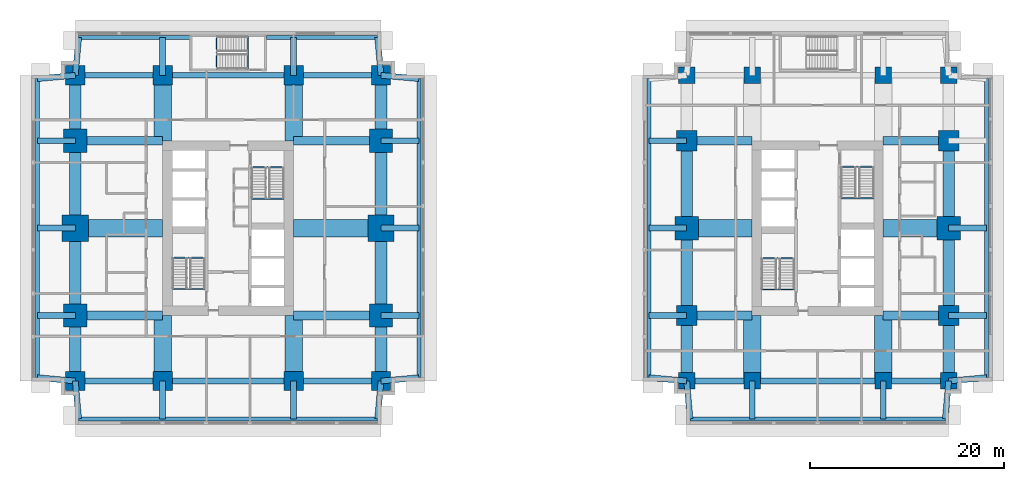
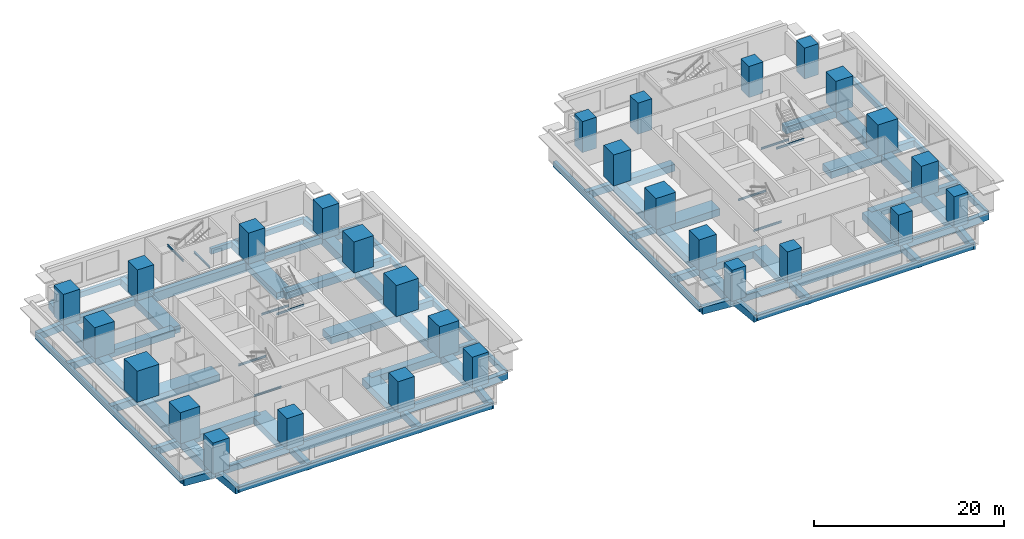
# One storey, part 1 of 11: 88 beams, 28 columns.
"""IFC4 building model written with IfcOpenShell, lengths in metres."""

from ifc_helpers import new_model, si_unit, direction, frame, origin, origin_2d, place, context, subcontext, project, spatial, rectangle, i_section, extrude, material, material_profile, profile_set, type_object, element, save


model = new_model("IFC4")

# Units and contexts
model_context = context("Model", 3, precision=1e-05, world=origin(), true_north=direction((0.0, 1.0)))
body_context = subcontext(model_context, "Body", "Model", "MODEL_VIEW")
ifc_project = project(units=[si_unit("LENGTHUNIT", "METRE"), si_unit("AREAUNIT", "SQUARE_METRE"), si_unit("VOLUMEUNIT", "CUBIC_METRE"), si_unit("PLANEANGLEUNIT", "RADIAN"), si_unit("MASSUNIT", "GRAM", prefix="KILO")], contexts=[model_context])

# Site, building, storey
site_placement = place(None, origin())
site = spatial("IfcSite", under=ifc_project, at=site_placement, CompositionType="ELEMENT")
building_placement = place(site_placement, origin())
building = spatial("IfcBuilding", under=site, at=building_placement, Name="Namib Vertical Campus", CompositionType="ELEMENT")
storey_placement = place(building_placement, frame((0.0, 0.0, 61.0)))
storey = spatial("IfcBuildingStorey", under=building, at=storey_placement, Name="L14", CompositionType="ELEMENT", Elevation=61.0)

# Columns
ifc_material_1 = material(Name="Concrete C60/75", Category="concrete")
ifc_material_profile_1 = material_profile(ifc_material_1, rectangle(XDim=1.699951171875, YDim=1.699951171875, at=origin_2d()))
ifc_profile_set_1 = profile_set([ifc_material_profile_1], Name="Concrete C60/75")
column_type_1 = type_object("IfcColumnType", Name="Column RC 1700x1700", PredefinedType="COLUMN", material=ifc_profile_set_1)
for number, where, z_axis, x_axis, name in (
    (1, (67.5, 4.5, 0.0), (0.0, 0.0, 1.0), (1.0, 0.0, 0.0), "Column C170 L14"),
    (2, (74.25, 4.5, 0.0), (0.0, 0.0, 1.0), (1.0, 0.0, 0.0), "Column C170 L14"),
    (3, (87.75, 4.5, 0.0), (0.0, 0.0, 1.0), (1.0, 0.0, 0.0), "Column C170 L14"),
    (4, (94.5, 4.5, 0.0), (0.0, 0.0, 1.0), (1.0, 0.0, 0.0), "Column C170 L14"),
    (5, (67.5, 36.0, 0.0), (0.0, 0.0, 1.0), (1.0, 0.0, 0.0), "Column C170 L14"),
    (6, (74.25, 36.0, 0.0), (0.0, 0.0, 1.0), (1.0, 0.0, 0.0), "Column C170 L14"),
    (7, (87.75, 36.0, 0.0), (0.0, 0.0, 1.0), (1.0, 0.0, 0.0), "Column C170 L14"),
    (8, (94.5, 36.0, 0.0), (0.0, 0.0, 1.0), (1.0, 0.0, 0.0), "Column C170 L14"),
):
    element("IfcColumn", number, at=place(storey_placement, frame(where, z_axis=z_axis, x_axis=x_axis)), inside=storey, type_object=column_type_1, Name=name, PredefinedType="COLUMN", context=body_context, shape_type="SweptSolid", body=[
        extrude(rectangle(XDim=1.699951171875, YDim=1.699951171875, at=origin_2d()), origin(), (0.0, 0.0, 1.0), 4.0),
    ])
ifc_material_2 = material(Name="Concrete C60/75", Category="concrete")
ifc_material_profile_2 = material_profile(ifc_material_2, rectangle(XDim=2.0, YDim=2.0, at=origin_2d()))
ifc_profile_set_2 = profile_set([ifc_material_profile_2], Name="Concrete C60/75")
column_type_2 = type_object("IfcColumnType", Name="Column RC 2000x2000", PredefinedType="COLUMN", material=ifc_profile_set_2)
for number, where, z_axis, x_axis, name in (
    (9, (4.5, 4.5, 0.0), (0.0, 0.0, 1.0), (1.0, 0.0, 0.0), "Column C200 L14"),
    (10, (13.5, 4.5, 0.0), (0.0, 0.0, 1.0), (1.0, 0.0, 0.0), "Column C200 L14"),
    (11, (27.0, 4.5, 0.0), (0.0, 0.0, 1.0), (1.0, 0.0, 0.0), "Column C200 L14"),
    (12, (36.0, 4.5, 0.0), (0.0, 0.0, 1.0), (1.0, 0.0, 0.0), "Column C200 L14"),
    (13, (4.5, 36.0, 0.0), (0.0, 0.0, 1.0), (1.0, 0.0, 0.0), "Column C200 L14"),
    (14, (13.5, 36.0, 0.0), (0.0, 0.0, 1.0), (1.0, 0.0, 0.0), "Column C200 L14"),
    (15, (27.0, 36.0, 0.0), (0.0, 0.0, 1.0), (1.0, 0.0, 0.0), "Column C200 L14"),
    (16, (36.0, 36.0, 0.0), (0.0, 0.0, 1.0), (1.0, 0.0, 0.0), "Column C200 L14"),
):
    element("IfcColumn", number, at=place(storey_placement, frame(where, z_axis=z_axis, x_axis=x_axis)), inside=storey, type_object=column_type_2, Name=name, PredefinedType="COLUMN", context=body_context, shape_type="SweptSolid", body=[
        extrude(rectangle(XDim=2.0, YDim=2.0, at=origin_2d()), origin(), (0.0, 0.0, 1.0), 4.0),
    ])
ifc_material_3 = material(Name="Concrete C60/75", Category="concrete")
ifc_material_profile_3 = material_profile(ifc_material_3, rectangle(XDim=2.10009765625, YDim=2.10009765625, at=origin_2d()))
ifc_profile_set_3 = profile_set([ifc_material_profile_3], Name="Concrete C60/75")
column_type_3 = type_object("IfcColumnType", Name="Column RC 2100x2100", PredefinedType="COLUMN", material=ifc_profile_set_3)
for number, where, z_axis, x_axis, name in (
    (17, (67.5, 11.25, 0.0), (0.0, 0.0, 1.0), (1.0, 0.0, 0.0), "Column C210 L14"),
    (18, (94.5, 11.25, 0.0), (0.0, 0.0, 1.0), (1.0, 0.0, 0.0), "Column C210 L14"),
    (19, (67.5, 29.25, 0.0), (0.0, 0.0, 1.0), (1.0, 0.0, 0.0), "Column C210 L14"),
    (20, (94.5, 29.25, 0.0), (0.0, 0.0, 1.0), (1.0, 0.0, 0.0), "Column C210 L14"),
):
    element("IfcColumn", number, at=place(storey_placement, frame(where, z_axis=z_axis, x_axis=x_axis)), inside=storey, type_object=column_type_3, Name=name, PredefinedType="COLUMN", context=body_context, shape_type="SweptSolid", body=[
        extrude(rectangle(XDim=2.10009765625, YDim=2.10009765625, at=origin_2d()), origin(), (0.0, 0.0, 1.0), 4.0),
    ])
ifc_material_4 = material(Name="Concrete C60/75", Category="concrete")
ifc_material_profile_4 = material_profile(ifc_material_4, rectangle(XDim=2.39990234375, YDim=2.39990234375, at=origin_2d()))
ifc_profile_set_4 = profile_set([ifc_material_profile_4], Name="Concrete C60/75")
column_type_4 = type_object("IfcColumnType", Name="Column RC 2400x2400", PredefinedType="COLUMN", material=ifc_profile_set_4)
for number, where, z_axis, x_axis, name in (
    (21, (4.5, 11.25, 0.0), (0.0, 0.0, 1.0), (1.0, 0.0, 0.0), "Column C240 L14"),
    (22, (36.0, 11.25, 0.0), (0.0, 0.0, 1.0), (1.0, 0.0, 0.0), "Column C240 L14"),
    (23, (4.5, 29.25, 0.0), (0.0, 0.0, 1.0), (1.0, 0.0, 0.0), "Column C240 L14"),
    (24, (36.0, 29.25, 0.0), (0.0, 0.0, 1.0), (1.0, 0.0, 0.0), "Column C240 L14"),
    (25, (67.5, 20.25, 0.0), (0.0, 0.0, 1.0), (1.0, 0.0, 0.0), "Column C240 L14"),
    (26, (94.5, 20.25, 0.0), (0.0, 0.0, 1.0), (1.0, 0.0, 0.0), "Column C240 L14"),
):
    element("IfcColumn", number, at=place(storey_placement, frame(where, z_axis=z_axis, x_axis=x_axis)), inside=storey, type_object=column_type_4, Name=name, PredefinedType="COLUMN", context=body_context, shape_type="SweptSolid", body=[
        extrude(rectangle(XDim=2.39990234375, YDim=2.39990234375, at=origin_2d()), origin(), (0.0, 0.0, 1.0), 4.0),
    ])
ifc_material_5 = material(Name="Concrete C60/75", Category="concrete")
ifc_material_profile_5 = material_profile(ifc_material_5, rectangle(XDim=2.699951171875, YDim=2.699951171875, at=origin_2d()))
ifc_profile_set_5 = profile_set([ifc_material_profile_5], Name="Concrete C60/75")
column_type_5 = type_object("IfcColumnType", Name="Column RC 2700x2700", PredefinedType="COLUMN", material=ifc_profile_set_5)
for number, where, z_axis, x_axis, name in (
    (27, (4.5, 20.25, 0.0), (0.0, 0.0, 1.0), (1.0, 0.0, 0.0), "Column C270 L14"),
    (28, (36.0, 20.25, 0.0), (0.0, 0.0, 1.0), (1.0, 0.0, 0.0), "Column C270 L14"),
):
    element("IfcColumn", number, at=place(storey_placement, frame(where, z_axis=z_axis, x_axis=x_axis)), inside=storey, type_object=column_type_5, Name=name, PredefinedType="COLUMN", context=body_context, shape_type="SweptSolid", body=[
        extrude(rectangle(XDim=2.699951171875, YDim=2.699951171875, at=origin_2d()), origin(), (0.0, 0.0, 1.0), 4.0),
    ])

# Beams
ifc_material_6 = material(Name="Concrete C40/50", Category="concrete")
ifc_material_profile_6 = material_profile(ifc_material_6, rectangle(XDim=0.60009765625, YDim=0.89990234375, at=origin_2d()))
ifc_profile_set_6 = profile_set([ifc_material_profile_6], Name="Concrete C40/50")
beam_type_1 = type_object("IfcBeamType", Name="Cantilever girder RC 600x900", PredefinedType="BEAM", material=ifc_profile_set_6)
beam_1_placement = place(storey_placement, frame((4.5, 4.5, -0.699951171875), z_axis=(0.089411326146, -0.995994786511, 0.0), x_axis=(0.995994786511, 0.089411326146, 0.0)))
element("IfcBeam", 29, at=beam_1_placement, inside=storey, type_object=beam_type_1, Name="Beam B3 L14", PredefinedType="BEAM", context=body_context, shape_type="SweptSolid", body=[
    extrude(rectangle(XDim=0.60009765625, YDim=0.89990234375, at=origin_2d()), origin(), (0.0, 0.0, 1.0), 3.91552734375),
])
for number, where, z_axis, x_axis, name in (
    (30, (13.5, 4.5, -0.699951171875), (0.0, -1.0, 0.0), (1.0, 0.0, 0.0), "Beam B3 L14"),
    (31, (27.0, 4.5, -0.699951171875), (0.0, -1.0, 0.0), (1.0, 0.0, 0.0), "Beam B3 L14"),
):
    element("IfcBeam", number, at=place(storey_placement, frame(where, z_axis=z_axis, x_axis=x_axis)), inside=storey, type_object=beam_type_1, Name=name, PredefinedType="BEAM", context=body_context, shape_type="SweptSolid", body=[
        extrude(rectangle(XDim=0.60009765625, YDim=0.89990234375, at=origin_2d()), origin(), (0.0, 0.0, 1.0), 3.89990234375),
    ])
for number, where, z_axis, x_axis, name in (
    (32, (36.0, 4.5, -0.699951171875), (-0.089411326146, -0.995994786511, 0.0), (0.995994786511, -0.089411326146, 0.0), "Beam B3 L14"),
    (33, (4.5, 36.0, -0.699951171875), (0.089411326146, 0.995994786511, 0.0), (-0.995994786511, 0.089411326146, 0.0), "Beam B3 L14"),
):
    element("IfcBeam", number, at=place(storey_placement, frame(where, z_axis=z_axis, x_axis=x_axis)), inside=storey, type_object=beam_type_1, Name=name, PredefinedType="BEAM", context=body_context, shape_type="SweptSolid", body=[
        extrude(rectangle(XDim=0.60009765625, YDim=0.89990234375, at=origin_2d()), origin(), (0.0, 0.0, 1.0), 3.91552734375),
    ])
for number, where, z_axis, x_axis, name in (
    (34, (13.5, 36.0, -0.699951171875), (0.0, 1.0, 0.0), (-1.0, 0.0, 0.0), "Beam B3 L14"),
    (35, (27.0, 36.0, -0.699951171875), (0.0, 1.0, 0.0), (-1.0, 0.0, 0.0), "Beam B3 L14"),
):
    element("IfcBeam", number, at=place(storey_placement, frame(where, z_axis=z_axis, x_axis=x_axis)), inside=storey, type_object=beam_type_1, Name=name, PredefinedType="BEAM", context=body_context, shape_type="SweptSolid", body=[
        extrude(rectangle(XDim=0.60009765625, YDim=0.89990234375, at=origin_2d()), origin(), (0.0, 0.0, 1.0), 3.89990234375),
    ])
for number, where, z_axis, x_axis, name in (
    (36, (36.0, 36.0, -0.699951171875), (-0.089411326146, 0.995994786511, 0.0), (-0.995994786511, -0.089411326146, 0.0), "Beam B3 L14"),
    (37, (4.5, 4.5, -0.699951171875), (-0.995994786511, 0.089411326146, 0.0), (-0.089411326146, -0.995994786511, 0.0), "Beam B3 L14"),
):
    element("IfcBeam", number, at=place(storey_placement, frame(where, z_axis=z_axis, x_axis=x_axis)), inside=storey, type_object=beam_type_1, Name=name, PredefinedType="BEAM", context=body_context, shape_type="SweptSolid", body=[
        extrude(rectangle(XDim=0.60009765625, YDim=0.89990234375, at=origin_2d()), origin(), (0.0, 0.0, 1.0), 3.91552734375),
    ])
for number, where, z_axis, x_axis, name in (
    (38, (4.5, 11.25, -0.699951171875), (-1.0, 0.0, 0.0), (0.0, -1.0, 0.0), "Beam B3 L14"),
    (39, (4.5, 20.25, -0.699951171875), (-1.0, 0.0, 0.0), (0.0, -1.0, 0.0), "Beam B3 L14"),
    (40, (4.5, 29.25, -0.699951171875), (-1.0, 0.0, 0.0), (0.0, -1.0, 0.0), "Beam B3 L14"),
):
    element("IfcBeam", number, at=place(storey_placement, frame(where, z_axis=z_axis, x_axis=x_axis)), inside=storey, type_object=beam_type_1, Name=name, PredefinedType="BEAM", context=body_context, shape_type="SweptSolid", body=[
        extrude(rectangle(XDim=0.60009765625, YDim=0.89990234375, at=origin_2d()), origin(), (0.0, 0.0, 1.0), 3.89990234375),
    ])
for number, where, z_axis, x_axis, name in (
    (41, (4.5, 36.0, -0.699951171875), (-0.995994786511, -0.089411326146, 0.0), (0.089411326146, -0.995994786511, 0.0), "Beam B3 L14"),
    (42, (36.0, 4.5, -0.699951171875), (0.995994786511, 0.089411326146, 0.0), (-0.089411326146, 0.995994786511, 0.0), "Beam B3 L14"),
):
    element("IfcBeam", number, at=place(storey_placement, frame(where, z_axis=z_axis, x_axis=x_axis)), inside=storey, type_object=beam_type_1, Name=name, PredefinedType="BEAM", context=body_context, shape_type="SweptSolid", body=[
        extrude(rectangle(XDim=0.60009765625, YDim=0.89990234375, at=origin_2d()), origin(), (0.0, 0.0, 1.0), 3.91552734375),
    ])
for number, where, z_axis, x_axis, name in (
    (43, (36.0, 11.25, -0.699951171875), (1.0, 0.0, 0.0), (0.0, 1.0, 0.0), "Beam B3 L14"),
    (44, (36.0, 20.25, -0.699951171875), (1.0, 0.0, 0.0), (0.0, 1.0, 0.0), "Beam B3 L14"),
    (45, (36.0, 29.25, -0.699951171875), (1.0, 0.0, 0.0), (0.0, 1.0, 0.0), "Beam B3 L14"),
):
    element("IfcBeam", number, at=place(storey_placement, frame(where, z_axis=z_axis, x_axis=x_axis)), inside=storey, type_object=beam_type_1, Name=name, PredefinedType="BEAM", context=body_context, shape_type="SweptSolid", body=[
        extrude(rectangle(XDim=0.60009765625, YDim=0.89990234375, at=origin_2d()), origin(), (0.0, 0.0, 1.0), 3.89990234375),
    ])
for number, where, z_axis, x_axis, name in (
    (46, (36.0, 36.0, -0.699951171875), (0.995994786511, -0.089411326146, 0.0), (0.089411326146, 0.995994786511, 0.0), "Beam B3 L14"),
    (47, (67.5, 4.5, -0.699951171875), (0.089411326146, -0.995994786511, 0.0), (0.995994786511, 0.089411326146, 0.0), "Beam B3 L14"),
):
    element("IfcBeam", number, at=place(storey_placement, frame(where, z_axis=z_axis, x_axis=x_axis)), inside=storey, type_object=beam_type_1, Name=name, PredefinedType="BEAM", context=body_context, shape_type="SweptSolid", body=[
        extrude(rectangle(XDim=0.60009765625, YDim=0.89990234375, at=origin_2d()), origin(), (0.0, 0.0, 1.0), 3.91552734375),
    ])
for number, where, z_axis, x_axis, name in (
    (48, (74.25, 4.5, -0.699951171875), (0.0, -1.0, 0.0), (1.0, 0.0, 0.0), "Beam B3 L14"),
    (49, (87.75, 4.5, -0.699951171875), (0.0, -1.0, 0.0), (1.0, 0.0, 0.0), "Beam B3 L14"),
):
    element("IfcBeam", number, at=place(storey_placement, frame(where, z_axis=z_axis, x_axis=x_axis)), inside=storey, type_object=beam_type_1, Name=name, PredefinedType="BEAM", context=body_context, shape_type="SweptSolid", body=[
        extrude(rectangle(XDim=0.60009765625, YDim=0.89990234375, at=origin_2d()), origin(), (0.0, 0.0, 1.0), 3.89990234375),
    ])
for number, where, z_axis, x_axis, name in (
    (50, (94.5, 4.5, -0.699951171875), (-0.089411326146, -0.995994786511, 0.0), (0.995994786511, -0.089411326146, 0.0), "Beam B3 L14"),
    (51, (67.5, 4.5, -0.699951171875), (-0.995994786511, 0.089411326146, 0.0), (-0.089411326146, -0.995994786511, 0.0), "Beam B3 L14"),
):
    element("IfcBeam", number, at=place(storey_placement, frame(where, z_axis=z_axis, x_axis=x_axis)), inside=storey, type_object=beam_type_1, Name=name, PredefinedType="BEAM", context=body_context, shape_type="SweptSolid", body=[
        extrude(rectangle(XDim=0.60009765625, YDim=0.89990234375, at=origin_2d()), origin(), (0.0, 0.0, 1.0), 3.91552734375),
    ])
for number, where, z_axis, x_axis, name in (
    (52, (67.5, 11.25, -0.699951171875), (-1.0, 0.0, 0.0), (0.0, -1.0, 0.0), "Beam B3 L14"),
    (53, (67.5, 20.25, -0.699951171875), (-1.0, 0.0, 0.0), (0.0, -1.0, 0.0), "Beam B3 L14"),
    (54, (67.5, 29.25, -0.699951171875), (-1.0, 0.0, 0.0), (0.0, -1.0, 0.0), "Beam B3 L14"),
):
    element("IfcBeam", number, at=place(storey_placement, frame(where, z_axis=z_axis, x_axis=x_axis)), inside=storey, type_object=beam_type_1, Name=name, PredefinedType="BEAM", context=body_context, shape_type="SweptSolid", body=[
        extrude(rectangle(XDim=0.60009765625, YDim=0.89990234375, at=origin_2d()), origin(), (0.0, 0.0, 1.0), 3.89990234375),
    ])
beam_2_placement = place(storey_placement, frame((94.5, 4.5, -0.699951171875), z_axis=(0.995994786511, 0.089411326146, 0.0), x_axis=(-0.089411326146, 0.995994786511, 0.0)))
element("IfcBeam", 55, at=beam_2_placement, inside=storey, type_object=beam_type_1, Name="Beam B3 L14", PredefinedType="BEAM", context=body_context, shape_type="SweptSolid", body=[
    extrude(rectangle(XDim=0.60009765625, YDim=0.89990234375, at=origin_2d()), origin(), (0.0, 0.0, 1.0), 3.91552734375),
])
for number, where, z_axis, x_axis, name in (
    (56, (94.5, 11.25, -0.699951171875), (1.0, 0.0, 0.0), (0.0, 1.0, 0.0), "Beam B3 L14"),
    (57, (94.5, 20.25, -0.699951171875), (1.0, 0.0, 0.0), (0.0, 1.0, 0.0), "Beam B3 L14"),
):
    element("IfcBeam", number, at=place(storey_placement, frame(where, z_axis=z_axis, x_axis=x_axis)), inside=storey, type_object=beam_type_1, Name=name, PredefinedType="BEAM", context=body_context, shape_type="SweptSolid", body=[
        extrude(rectangle(XDim=0.60009765625, YDim=0.89990234375, at=origin_2d()), origin(), (0.0, 0.0, 1.0), 3.89990234375),
    ])
ifc_material_7 = material(Name="Concrete C40/50", Category="concrete")
ifc_material_profile_7 = material_profile(ifc_material_7, rectangle(XDim=0.39990234375, YDim=0.699951171875, at=origin_2d()))
ifc_profile_set_7 = profile_set([ifc_material_profile_7], Name="Concrete C40/50")
beam_type_2 = type_object("IfcBeamType", Name="Edge beam RC 400x700", PredefinedType="SPANDREL", material=ifc_profile_set_7)
beam_3_placement = place(storey_placement, frame((4.85009765625, 0.60009765625, -0.60009765625), z_axis=(1.0, 0.0, 0.0), x_axis=(0.0, 1.0, 0.0)))
element("IfcBeam", 58, at=beam_3_placement, inside=storey, type_object=beam_type_2, Name="Beam B4 L14", PredefinedType="SPANDREL", context=body_context, shape_type="SweptSolid", body=[
    extrude(rectangle(XDim=0.39990234375, YDim=0.699951171875, at=origin_2d()), origin(), (0.0, 0.0, 1.0), 30.7998046875),
])
for number, where, z_axis, x_axis, name in (
    (59, (4.85009765625, 39.89990234375, -0.60009765625), (1.0, 0.0, 0.0), (0.0, 1.0, 0.0), "Beam B4 L14"),
    (60, (24.199951171875, 39.89990234375, -0.60009765625), (1.0, 0.0, 0.0), (0.0, 1.0, 0.0), "Beam B4 L14"),
):
    element("IfcBeam", number, at=place(storey_placement, frame(where, z_axis=z_axis, x_axis=x_axis)), inside=storey, type_object=beam_type_2, Name=name, PredefinedType="SPANDREL", context=body_context, shape_type="SweptSolid", body=[
        extrude(rectangle(XDim=0.39990234375, YDim=0.699951171875, at=origin_2d()), origin(), (0.0, 0.0, 1.0), 11.449951171875),
    ])
for number, where, z_axis, x_axis, name in (
    (61, (0.60009765625, 4.85009765625, -0.60009765625), (0.0, 1.0, 0.0), (-1.0, 0.0, 0.0), "Beam B4 L14"),
    (62, (39.89990234375, 4.85009765625, -0.60009765625), (0.0, 1.0, 0.0), (-1.0, 0.0, 0.0), "Beam B4 L14"),
):
    element("IfcBeam", number, at=place(storey_placement, frame(where, z_axis=z_axis, x_axis=x_axis)), inside=storey, type_object=beam_type_2, Name=name, PredefinedType="SPANDREL", context=body_context, shape_type="SweptSolid", body=[
        extrude(rectangle(XDim=0.39990234375, YDim=0.699951171875, at=origin_2d()), origin(), (0.0, 0.0, 1.0), 30.7998046875),
    ])
beam_4_placement = place(storey_placement, frame((67.85009765625, 0.60009765625, -0.60009765625), z_axis=(1.0, 0.0, 0.0), x_axis=(0.0, 1.0, 0.0)))
element("IfcBeam", 63, at=beam_4_placement, inside=storey, type_object=beam_type_2, Name="Beam B4 L14", PredefinedType="SPANDREL", context=body_context, shape_type="SweptSolid", body=[
    extrude(rectangle(XDim=0.39990234375, YDim=0.699951171875, at=origin_2d()), origin(), (0.0, 0.0, 1.0), 26.2998046875),
])
for number, where, z_axis, x_axis, name in (
    (64, (63.60009765625, 4.85009765625, -0.60009765625), (0.0, 1.0, 0.0), (-1.0, 0.0, 0.0), "Beam B4 L14"),
    (65, (98.39990234375, 4.85009765625, -0.60009765625), (0.0, 1.0, 0.0), (-1.0, 0.0, 0.0), "Beam B4 L14"),
):
    element("IfcBeam", number, at=place(storey_placement, frame(where, z_axis=z_axis, x_axis=x_axis)), inside=storey, type_object=beam_type_2, Name=name, PredefinedType="SPANDREL", context=body_context, shape_type="SweptSolid", body=[
        extrude(rectangle(XDim=0.39990234375, YDim=0.699951171875, at=origin_2d()), origin(), (0.0, 0.0, 1.0), 30.7998046875),
    ])
ifc_material_8 = material(Name="Concrete C40/50", Category="concrete")
ifc_material_profile_8 = material_profile(ifc_material_8, rectangle(XDim=0.89990234375, YDim=0.89990234375, at=origin_2d()))
ifc_profile_set_8 = profile_set([ifc_material_profile_8], Name="Concrete C40/50")
beam_type_3 = type_object("IfcBeamType", Name="Face girder RC 900x900", PredefinedType="BEAM", material=ifc_profile_set_8)
for number, where, z_axis, x_axis, name in (
    (66, (4.5, 11.25, -0.699951171875), (1.0, 0.0, 0.0), (0.0, 1.0, 0.0), "Beam B10 L14"),
    (67, (36.0, 11.25, -0.699951171875), (-1.0, 0.0, 0.0), (0.0, -1.0, 0.0), "Beam B10 L14"),
    (68, (4.5, 29.25, -0.699951171875), (1.0, 0.0, 0.0), (0.0, 1.0, 0.0), "Beam B10 L14"),
    (69, (36.0, 29.25, -0.699951171875), (-1.0, 0.0, 0.0), (0.0, -1.0, 0.0), "Beam B10 L14"),
):
    element("IfcBeam", number, at=place(storey_placement, frame(where, z_axis=z_axis, x_axis=x_axis)), inside=storey, type_object=beam_type_3, Name=name, PredefinedType="BEAM", context=body_context, shape_type="SweptSolid", body=[
        extrude(rectangle(XDim=0.89990234375, YDim=0.89990234375, at=origin_2d()), origin(), (0.0, 0.0, 1.0), 9.0),
    ])
for number, where, z_axis, x_axis, name in (
    (70, (67.5, 11.25, -0.699951171875), (1.0, 0.0, 0.0), (0.0, 1.0, 0.0), "Beam B10 L14"),
    (71, (94.5, 11.25, -0.699951171875), (-1.0, 0.0, 0.0), (0.0, -1.0, 0.0), "Beam B10 L14"),
    (72, (67.5, 29.25, -0.699951171875), (1.0, 0.0, 0.0), (0.0, 1.0, 0.0), "Beam B10 L14"),
    (73, (94.5, 29.25, -0.699951171875), (-1.0, 0.0, 0.0), (0.0, -1.0, 0.0), "Beam B10 L14"),
):
    element("IfcBeam", number, at=place(storey_placement, frame(where, z_axis=z_axis, x_axis=x_axis)), inside=storey, type_object=beam_type_3, Name=name, PredefinedType="BEAM", context=body_context, shape_type="SweptSolid", body=[
        extrude(rectangle(XDim=0.89990234375, YDim=0.89990234375, at=origin_2d()), origin(), (0.0, 0.0, 1.0), 6.75),
    ])
ifc_material_9 = material(Name="Concrete C40/50", Category="concrete")
ifc_material_profile_9 = material_profile(ifc_material_9, rectangle(XDim=1.199951171875, YDim=1.10009765625, at=origin_2d()))
ifc_profile_set_9 = profile_set([ifc_material_profile_9], Name="Concrete C40/50")
beam_type_4 = type_object("IfcBeamType", Name="Face ring beam RC 1200x1100", PredefinedType="BEAM", material=ifc_profile_set_9)
beam_5_placement = place(storey_placement, frame((4.5, 4.5, -0.800048828125), z_axis=(0.0, 1.0, 0.0), x_axis=(-1.0, 0.0, 0.0)))
element("IfcBeam", 74, at=beam_5_placement, inside=storey, type_object=beam_type_4, Name="Beam B11 L14", PredefinedType="BEAM", context=body_context, shape_type="SweptSolid", body=[
    extrude(rectangle(XDim=1.199951171875, YDim=1.10009765625, at=origin_2d()), origin(), (0.0, 0.0, 1.0), 6.75),
])
for number, where, z_axis, x_axis, name in (
    (75, (4.5, 11.25, -0.800048828125), (0.0, 1.0, 0.0), (-1.0, 0.0, 0.0), "Beam B11 L14"),
    (76, (4.5, 20.25, -0.800048828125), (0.0, 1.0, 0.0), (-1.0, 0.0, 0.0), "Beam B11 L14"),
):
    element("IfcBeam", number, at=place(storey_placement, frame(where, z_axis=z_axis, x_axis=x_axis)), inside=storey, type_object=beam_type_4, Name=name, PredefinedType="BEAM", context=body_context, shape_type="SweptSolid", body=[
        extrude(rectangle(XDim=1.199951171875, YDim=1.10009765625, at=origin_2d()), origin(), (0.0, 0.0, 1.0), 9.0),
    ])
for number, where, z_axis, x_axis, name in (
    (77, (4.5, 29.25, -0.800048828125), (0.0, 1.0, 0.0), (-1.0, 0.0, 0.0), "Beam B11 L14"),
    (78, (36.0, 4.5, -0.800048828125), (0.0, 1.0, 0.0), (-1.0, 0.0, 0.0), "Beam B11 L14"),
):
    element("IfcBeam", number, at=place(storey_placement, frame(where, z_axis=z_axis, x_axis=x_axis)), inside=storey, type_object=beam_type_4, Name=name, PredefinedType="BEAM", context=body_context, shape_type="SweptSolid", body=[
        extrude(rectangle(XDim=1.199951171875, YDim=1.10009765625, at=origin_2d()), origin(), (0.0, 0.0, 1.0), 6.75),
    ])
for number, where, z_axis, x_axis, name in (
    (79, (36.0, 11.25, -0.800048828125), (0.0, 1.0, 0.0), (-1.0, 0.0, 0.0), "Beam B11 L14"),
    (80, (36.0, 20.25, -0.800048828125), (0.0, 1.0, 0.0), (-1.0, 0.0, 0.0), "Beam B11 L14"),
):
    element("IfcBeam", number, at=place(storey_placement, frame(where, z_axis=z_axis, x_axis=x_axis)), inside=storey, type_object=beam_type_4, Name=name, PredefinedType="BEAM", context=body_context, shape_type="SweptSolid", body=[
        extrude(rectangle(XDim=1.199951171875, YDim=1.10009765625, at=origin_2d()), origin(), (0.0, 0.0, 1.0), 9.0),
    ])
for number, where, z_axis, x_axis, name in (
    (81, (36.0, 29.25, -0.800048828125), (0.0, 1.0, 0.0), (-1.0, 0.0, 0.0), "Beam B11 L14"),
    (82, (67.5, 4.5, -0.800048828125), (0.0, 1.0, 0.0), (-1.0, 0.0, 0.0), "Beam B11 L14"),
):
    element("IfcBeam", number, at=place(storey_placement, frame(where, z_axis=z_axis, x_axis=x_axis)), inside=storey, type_object=beam_type_4, Name=name, PredefinedType="BEAM", context=body_context, shape_type="SweptSolid", body=[
        extrude(rectangle(XDim=1.199951171875, YDim=1.10009765625, at=origin_2d()), origin(), (0.0, 0.0, 1.0), 6.75),
    ])
for number, where, z_axis, x_axis, name in (
    (83, (67.5, 11.25, -0.800048828125), (0.0, 1.0, 0.0), (-1.0, 0.0, 0.0), "Beam B11 L14"),
    (84, (67.5, 20.25, -0.800048828125), (0.0, 1.0, 0.0), (-1.0, 0.0, 0.0), "Beam B11 L14"),
):
    element("IfcBeam", number, at=place(storey_placement, frame(where, z_axis=z_axis, x_axis=x_axis)), inside=storey, type_object=beam_type_4, Name=name, PredefinedType="BEAM", context=body_context, shape_type="SweptSolid", body=[
        extrude(rectangle(XDim=1.199951171875, YDim=1.10009765625, at=origin_2d()), origin(), (0.0, 0.0, 1.0), 9.0),
    ])
beam_6_placement = place(storey_placement, frame((94.5, 4.5, -0.800048828125), z_axis=(0.0, 1.0, 0.0), x_axis=(-1.0, 0.0, 0.0)))
element("IfcBeam", 85, at=beam_6_placement, inside=storey, type_object=beam_type_4, Name="Beam B11 L14", PredefinedType="BEAM", context=body_context, shape_type="SweptSolid", body=[
    extrude(rectangle(XDim=1.199951171875, YDim=1.10009765625, at=origin_2d()), origin(), (0.0, 0.0, 1.0), 6.75),
])
for number, where, z_axis, x_axis, name in (
    (86, (94.5, 11.25, -0.800048828125), (0.0, 1.0, 0.0), (-1.0, 0.0, 0.0), "Beam B11 L14"),
    (87, (94.5, 20.25, -0.800048828125), (0.0, 1.0, 0.0), (-1.0, 0.0, 0.0), "Beam B11 L14"),
):
    element("IfcBeam", number, at=place(storey_placement, frame(where, z_axis=z_axis, x_axis=x_axis)), inside=storey, type_object=beam_type_4, Name=name, PredefinedType="BEAM", context=body_context, shape_type="SweptSolid", body=[
        extrude(rectangle(XDim=1.199951171875, YDim=1.10009765625, at=origin_2d()), origin(), (0.0, 0.0, 1.0), 9.0),
    ])
ifc_material_10 = material(Name="Steel S355JR", Category="steel")
ifc_material_profile_10 = material_profile(ifc_material_10, i_section(OverallWidth=0.14599609375, OverallDepth=0.25146484375, WebThickness=0.006103515625, FlangeThickness=0.008544921875, FilletRadius=0.007568359375, at=origin_2d()))
ifc_profile_set_10 = profile_set([ifc_material_profile_10], Name="Steel S355JR")
beam_type_5 = type_object("IfcBeamType", Name="Landing trimmer UB 254x146x31", PredefinedType="BEAM", material=ifc_profile_set_10)
for number, where, z_axis, x_axis, name in (
    (88, (14.5, 13.97705078125, -0.125732421875), (1.0, 0.0, 0.0), (0.0, 1.0, 0.0), "Landing trimmer LT1 A-S1 L14 1"),
    (89, (14.5, 17.203125, 1.874267578125), (1.0, 0.0, 0.0), (0.0, 1.0, 0.0), "Landing trimmer LT1 A-S1 L14 2"),
    (90, (22.64990234375, 26.52294921875, -0.125732421875), (1.0, 0.0, 0.0), (0.0, 1.0, 0.0), "Landing trimmer LT1 A-S2 L14 1"),
    (91, (22.64990234375, 23.296875, 1.874267578125), (1.0, 0.0, 0.0), (0.0, 1.0, 0.0), "Landing trimmer LT1 A-S2 L14 2"),
):
    element("IfcBeam", number, at=place(storey_placement, frame(where, z_axis=z_axis, x_axis=x_axis)), inside=storey, type_object=beam_type_5, Name=name, PredefinedType="BEAM", context=body_context, shape_type="SweptSolid", body=[
        extrude(i_section(OverallWidth=0.14599609375, OverallDepth=0.25146484375, WebThickness=0.006103515625, FlangeThickness=0.008544921875, FilletRadius=0.007568359375, at=origin_2d()), origin(), (0.0, 0.0, 1.0), 3.35009765625),
    ])
for number, where, z_axis, x_axis, name in (
    (92, (75.199951171875, 13.927001953125, -0.125732421875), (1.0, 0.0, 0.0), (0.0, 1.0, 0.0), "Landing trimmer LT1 B-S1 L14 1"),
    (93, (75.199951171875, 17.153076171875, 1.874267578125), (1.0, 0.0, 0.0), (0.0, 1.0, 0.0), "Landing trimmer LT1 B-S1 L14 2"),
    (94, (83.39990234375, 26.572998046875, -0.125732421875), (1.0, 0.0, 0.0), (0.0, 1.0, 0.0), "Landing trimmer LT1 B-S2 L14 1"),
    (95, (83.39990234375, 23.346923828125, 1.874267578125), (1.0, 0.0, 0.0), (0.0, 1.0, 0.0), "Landing trimmer LT1 B-S2 L14 2"),
):
    element("IfcBeam", number, at=place(storey_placement, frame(where, z_axis=z_axis, x_axis=x_axis)), inside=storey, type_object=beam_type_5, Name=name, PredefinedType="BEAM", context=body_context, shape_type="SweptSolid", body=[
        extrude(i_section(OverallWidth=0.14599609375, OverallDepth=0.25146484375, WebThickness=0.006103515625, FlangeThickness=0.008544921875, FilletRadius=0.007568359375, at=origin_2d()), origin(), (0.0, 0.0, 1.0), 3.400146484375),
    ])
for number, where, z_axis, x_axis, name in (
    (96, (22.27294921875, 36.64990234375, -0.125732421875), (0.0, 1.0, 0.0), (-1.0, 0.0, 0.0), "Landing trimmer LT1 A-S3 L14 1"),
    (97, (19.046875, 36.64990234375, 1.874267578125), (0.0, 1.0, 0.0), (-1.0, 0.0, 0.0), "Landing trimmer LT1 A-S3 L14 2"),
):
    element("IfcBeam", number, at=place(storey_placement, frame(where, z_axis=z_axis, x_axis=x_axis)), inside=storey, type_object=beam_type_5, Name=name, PredefinedType="BEAM", context=body_context, shape_type="SweptSolid", body=[
        extrude(i_section(OverallWidth=0.14599609375, OverallDepth=0.25146484375, WebThickness=0.006103515625, FlangeThickness=0.008544921875, FilletRadius=0.007568359375, at=origin_2d()), origin(), (0.0, 0.0, 1.0), 3.35009765625),
    ])
ifc_material_11 = material(Name="Concrete C40/50", Category="concrete")
ifc_material_profile_11 = material_profile(ifc_material_11, rectangle(XDim=0.60009765625, YDim=1.199951171875, at=origin_2d()))
ifc_profile_set_11 = profile_set([ifc_material_profile_11], Name="Concrete C40/50")
beam_type_6 = type_object("IfcBeamType", Name="Long-span ring beam RC 600x1200", PredefinedType="BEAM", material=ifc_profile_set_11)
for number, where, z_axis, x_axis, name in (
    (98, (13.5, 4.5, -0.85009765625), (1.0, 0.0, 0.0), (0.0, 1.0, 0.0), "Beam B9 L14"),
    (99, (13.5, 36.0, -0.85009765625), (1.0, 0.0, 0.0), (0.0, 1.0, 0.0), "Beam B9 L14"),
    (100, (74.25, 4.5, -0.85009765625), (1.0, 0.0, 0.0), (0.0, 1.0, 0.0), "Beam B9 L14"),
):
    element("IfcBeam", number, at=place(storey_placement, frame(where, z_axis=z_axis, x_axis=x_axis)), inside=storey, type_object=beam_type_6, Name=name, PredefinedType="BEAM", context=body_context, shape_type="SweptSolid", body=[
        extrude(rectangle(XDim=0.60009765625, YDim=1.199951171875, at=origin_2d()), origin(), (0.0, 0.0, 1.0), 13.5),
    ])
ifc_material_12 = material(Name="Concrete C40/50", Category="concrete")
ifc_material_profile_12 = material_profile(ifc_material_12, rectangle(XDim=1.800048828125, YDim=0.89990234375, at=origin_2d()))
ifc_profile_set_12 = profile_set([ifc_material_profile_12], Name="Concrete C40/50")
beam_type_7 = type_object("IfcBeamType", Name="Outrigger line girder RC 1800x900", PredefinedType="BEAM", material=ifc_profile_set_12)
for number, where, z_axis, x_axis, name in (
    (101, (13.5, 4.5, -0.699951171875), (0.0, 1.0, 0.0), (-1.0, 0.0, 0.0), "Beam B12 L14"),
    (102, (13.5, 36.0, -0.699951171875), (0.0, -1.0, 0.0), (1.0, 0.0, 0.0), "Beam B12 L14"),
    (103, (27.0, 4.5, -0.699951171875), (0.0, 1.0, 0.0), (-1.0, 0.0, 0.0), "Beam B12 L14"),
    (104, (27.0, 36.0, -0.699951171875), (0.0, -1.0, 0.0), (1.0, 0.0, 0.0), "Beam B12 L14"),
):
    element("IfcBeam", number, at=place(storey_placement, frame(where, z_axis=z_axis, x_axis=x_axis)), inside=storey, type_object=beam_type_7, Name=name, PredefinedType="BEAM", context=body_context, shape_type="SweptSolid", body=[
        extrude(rectangle(XDim=1.800048828125, YDim=0.89990234375, at=origin_2d()), origin(), (0.0, 0.0, 1.0), 6.75),
    ])
for number, where, z_axis, x_axis, name in (
    (105, (4.5, 20.25, -0.699951171875), (1.0, 0.0, 0.0), (0.0, 1.0, 0.0), "Beam B12 L14"),
    (106, (36.0, 20.25, -0.699951171875), (-1.0, 0.0, 0.0), (0.0, -1.0, 0.0), "Beam B12 L14"),
):
    element("IfcBeam", number, at=place(storey_placement, frame(where, z_axis=z_axis, x_axis=x_axis)), inside=storey, type_object=beam_type_7, Name=name, PredefinedType="BEAM", context=body_context, shape_type="SweptSolid", body=[
        extrude(rectangle(XDim=1.800048828125, YDim=0.89990234375, at=origin_2d()), origin(), (0.0, 0.0, 1.0), 9.0),
    ])
for number, where, z_axis, x_axis, name in (
    (107, (74.25, 4.5, -0.699951171875), (0.0, 1.0, 0.0), (-1.0, 0.0, 0.0), "Beam B12 L14"),
    (108, (87.75, 4.5, -0.699951171875), (0.0, 1.0, 0.0), (-1.0, 0.0, 0.0), "Beam B12 L14"),
    (109, (67.5, 20.25, -0.699951171875), (1.0, 0.0, 0.0), (0.0, 1.0, 0.0), "Beam B12 L14"),
    (110, (94.5, 20.25, -0.699951171875), (-1.0, 0.0, 0.0), (0.0, -1.0, 0.0), "Beam B12 L14"),
):
    element("IfcBeam", number, at=place(storey_placement, frame(where, z_axis=z_axis, x_axis=x_axis)), inside=storey, type_object=beam_type_7, Name=name, PredefinedType="BEAM", context=body_context, shape_type="SweptSolid", body=[
        extrude(rectangle(XDim=1.800048828125, YDim=0.89990234375, at=origin_2d()), origin(), (0.0, 0.0, 1.0), 6.75),
    ])
ifc_material_13 = material(Name="Concrete C40/50", Category="concrete")
ifc_material_profile_13 = material_profile(ifc_material_13, rectangle(XDim=0.60009765625, YDim=0.800048828125, at=origin_2d()))
ifc_profile_set_13 = profile_set([ifc_material_profile_13], Name="Concrete C40/50")
beam_type_8 = type_object("IfcBeamType", Name="Ring beam RC 600x800", PredefinedType="BEAM", material=ifc_profile_set_13)
for number, where, z_axis, x_axis, name in (
    (111, (4.5, 4.5, -0.64990234375), (1.0, 0.0, 0.0), (0.0, 1.0, 0.0), "Beam B1 L14"),
    (112, (27.0, 4.5, -0.64990234375), (1.0, 0.0, 0.0), (0.0, 1.0, 0.0), "Beam B1 L14"),
    (113, (4.5, 36.0, -0.64990234375), (1.0, 0.0, 0.0), (0.0, 1.0, 0.0), "Beam B1 L14"),
    (114, (27.0, 36.0, -0.64990234375), (1.0, 0.0, 0.0), (0.0, 1.0, 0.0), "Beam B1 L14"),
):
    element("IfcBeam", number, at=place(storey_placement, frame(where, z_axis=z_axis, x_axis=x_axis)), inside=storey, type_object=beam_type_8, Name=name, PredefinedType="BEAM", context=body_context, shape_type="SweptSolid", body=[
        extrude(rectangle(XDim=0.60009765625, YDim=0.800048828125, at=origin_2d()), origin(), (0.0, 0.0, 1.0), 9.0),
    ])
for number, where, z_axis, x_axis, name in (
    (115, (67.5, 4.5, -0.64990234375), (1.0, 0.0, 0.0), (0.0, 1.0, 0.0), "Beam B1 L14"),
    (116, (87.75, 4.5, -0.64990234375), (1.0, 0.0, 0.0), (0.0, 1.0, 0.0), "Beam B1 L14"),
):
    element("IfcBeam", number, at=place(storey_placement, frame(where, z_axis=z_axis, x_axis=x_axis)), inside=storey, type_object=beam_type_8, Name=name, PredefinedType="BEAM", context=body_context, shape_type="SweptSolid", body=[
        extrude(rectangle(XDim=0.60009765625, YDim=0.800048828125, at=origin_2d()), origin(), (0.0, 0.0, 1.0), 6.75),
    ])

save(model, "model.ifc")
